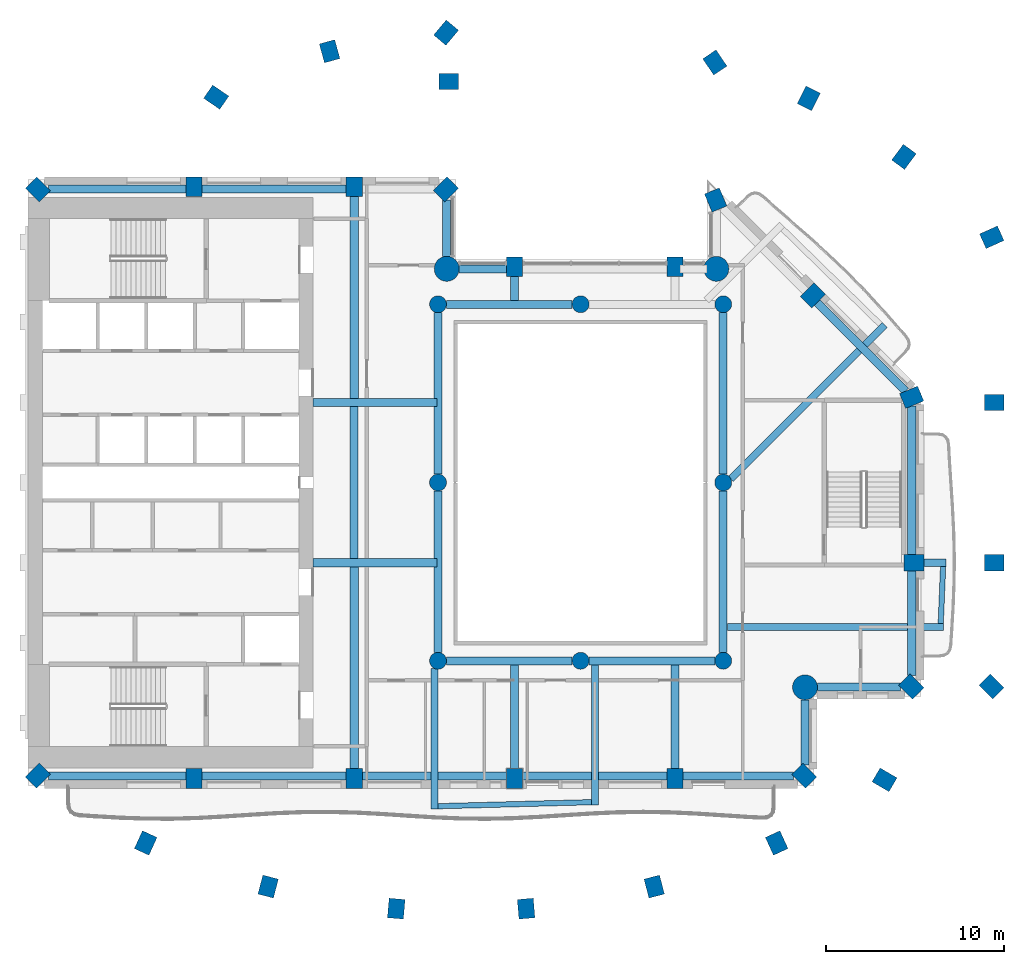
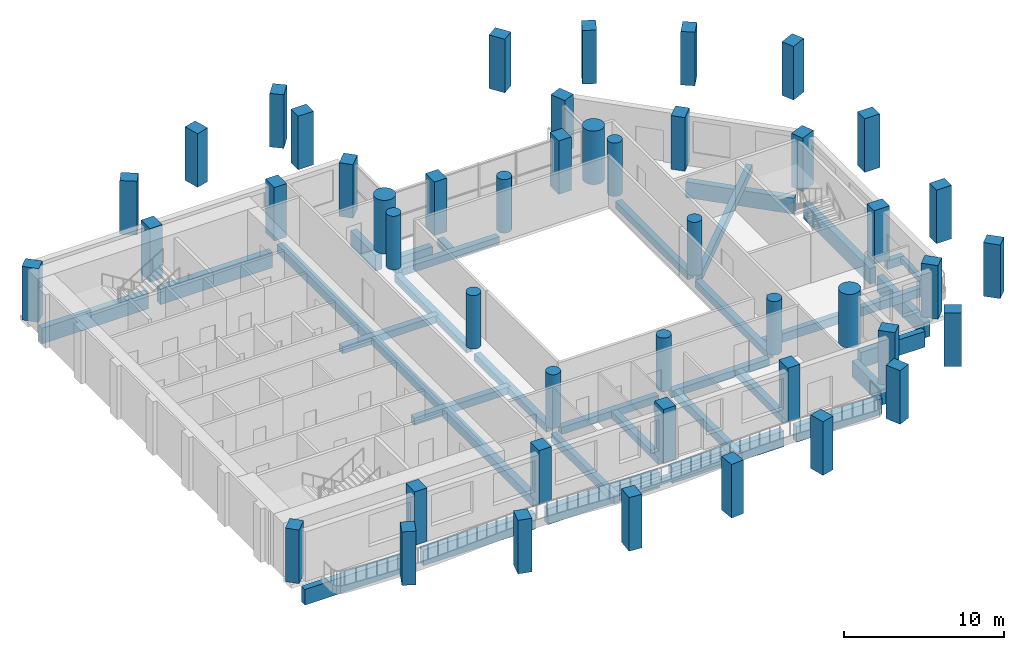
# One storey, part 1 of 13: 46 columns, 36 beams.
"""IFC4 building model written with IfcOpenShell, lengths in metres."""

from ifc_helpers import new_model, si_unit, direction, frame, origin, origin_2d, place, context, subcontext, project, spatial, rectangle, circle, extrude, material, material_profile, profile_set, type_object, element, save


model = new_model("IFC4")

# Units and contexts
model_context = context("Model", 3, precision=1e-05, world=origin(), true_north=direction((0.0, 1.0)))
body_context = subcontext(model_context, "Body", "Model", "MODEL_VIEW")
ifc_project = project(units=[si_unit("LENGTHUNIT", "METRE"), si_unit("AREAUNIT", "SQUARE_METRE"), si_unit("VOLUMEUNIT", "CUBIC_METRE"), si_unit("PLANEANGLEUNIT", "RADIAN"), si_unit("MASSUNIT", "GRAM", prefix="KILO")], contexts=[model_context])

# Site, building, storey
site_placement = place(None, origin())
site = spatial("IfcSite", under=ifc_project, at=site_placement, CompositionType="ELEMENT")
building_placement = place(site_placement, origin())
building = spatial("IfcBuilding", under=site, at=building_placement, Name="Cypress Arch Tower", CompositionType="ELEMENT")
storey_placement = place(building_placement, frame((0.0, 0.0, 189.199951171875)))
storey = spatial("IfcBuildingStorey", under=building, at=storey_placement, Name="L41", CompositionType="ELEMENT", Elevation=189.199951171875)

# Columns
ifc_material_1 = material(Name="Concrete C70/85", Category="concrete")
ifc_material_profile_1 = material_profile(ifc_material_1, rectangle(XDim=0.89990234375, YDim=1.10009765625, at=origin_2d()), Name="RC 900x1100")
ifc_profile_set_1 = profile_set([ifc_material_profile_1], Name="Concrete C70/85")
column_type_1 = type_object("IfcColumnType", Name="Column RC 900x1100 Concrete C70/85", PredefinedType="COLUMN", material=ifc_profile_set_1)
for number, where, z_axis, x_axis, name in (
    (1, (-29.44287109375, 16.44287109375, 0.0), (0.0, 0.0, 1.0), (-0.707106781187, -0.707106781187, 0.0), "Column L41 CB00"),
    (2, (-29.44287109375, -16.44287109375, 0.0), (0.0, 0.0, 1.0), (0.707106781187, -0.707106781187, 0.0), "Column L41 CB01"),
    (3, (-20.699951171875, -16.60009765625, 0.0), (0.0, 0.0, 1.0), (1.0, 0.0, 0.0), "Column L41 CB02"),
    (4, (-11.699951171875, -16.60009765625, 0.0), (0.0, 0.0, 1.0), (1.0, 0.0, 0.0), "Column L41 CB03"),
    (5, (-2.699951171875, -16.60009765625, 0.0), (0.0, 0.0, 1.0), (1.0, 0.0, 0.0), "Column L41 CB04"),
    (6, (6.300048828125, -16.60009765625, 0.0), (0.0, 0.0, 1.0), (1.0, 0.0, 0.0), "Column L41 CB05"),
    (7, (13.54296875, -16.44287109375, 0.0), (0.0, 0.0, 1.0), (0.707106781187, 0.707106781187, 0.0), "Column L41 CB06"),
    (8, (19.54296875, -11.44287109375, 0.0), (0.0, 0.0, 1.0), (0.707106781187, 0.707106781187, 0.0), "Column L41 CB08"),
    (9, (19.699951171875, -4.5, 0.0), (0.0, 0.0, 1.0), (0.0, 1.0, 0.0), "Column L41 CB09"),
    (10, (19.569580078125, 4.7802734375, 0.0), (0.0, 0.0, 1.0), (-0.382683496864, 0.923879505795, 0.0), "Column L41 CB10"),
    (11, (14.029296875, 10.505126953125, 0.0), (0.0, 0.0, 1.0), (-0.707106781187, 0.707106781187, 0.0), "Column L41 CB11"),
    (12, (8.576171875, 15.850341796875, 0.0), (0.0, 0.0, 1.0), (-0.923879672772, -0.382683093746, 0.0), "Column L41 CB12"),
    (13, (6.300048828125, 12.10009765625, 0.0), (0.0, 0.0, 1.0), (-1.0, 0.0, 0.0), "Column L41 CB14"),
    (14, (-2.699951171875, 12.10009765625, 0.0), (0.0, 0.0, 1.0), (-1.0, 0.0, 0.0), "Column L41 CB15"),
    (15, (-6.55712890625, 16.44287109375, 0.0), (0.0, 0.0, 1.0), (-0.707106781187, 0.707106781187, 0.0), "Column L41 CB17"),
    (16, (-11.699951171875, 16.60009765625, 0.0), (0.0, 0.0, 1.0), (-1.0, 0.0, 0.0), "Column L41 CB18"),
    (17, (-20.699951171875, 16.60009765625, 0.0), (0.0, 0.0, 1.0), (-1.0, 0.0, 0.0), "Column L41 CB19"),
    (18, (8.53076171875, 23.564697265625, 0.0), (0.0, 0.0, 1.0), (-0.828469606019, -0.560034027451, 0.0), "Column L41 CQ00"),
    (19, (-6.39990234375, 22.5, 0.0), (0.0, 0.0, 1.0), (0.0, 1.0, 0.0), "Column L41 CQ01"),
    (20, (-6.54833984375, 25.236572265625, 0.0), (0.0, 0.0, 1.0), (-0.766063514674, 0.642764880407, 0.0), "Column L41 CQ02"),
    (21, (-13.081298828125, 24.193359375, 0.0), (0.0, 0.0, 1.0), (-0.96345574646, -0.267867550506, 0.0), "Column L41 CQ03"),
    (22, (-19.44189453125, 21.616943359375, 0.0), (0.0, 0.0, 1.0), (-0.565892599589, -0.824478966215, 0.0), "Column L41 CQ04"),
    (23, (-23.398193359375, -20.221435546875, 0.0), (0.0, 0.0, 1.0), (0.909932071487, -0.414757308891, 0.0), "Column L41 CQ05"),
    (24, (-16.529052734375, -22.666259765625, 0.0), (0.0, 0.0, 1.0), (0.96735573689, -0.2534223319, 0.0), "Column L41 CQ06"),
    (25, (-9.3427734375, -23.903564453125, 0.0), (0.0, 0.0, 1.0), (0.996368206733, -0.085149260784, 0.0), "Column L41 CQ07"),
    (26, (-2.057373046875, -23.903564453125, 0.0), (0.0, 0.0, 1.0), (0.996368206733, 0.085149260784, 0.0), "Column L41 CQ08"),
    (27, (5.12890625, -22.666259765625, 0.0), (0.0, 0.0, 1.0), (0.96735573689, 0.2534223319, 0.0), "Column L41 CQ09"),
    (28, (11.998291015625, -20.221435546875, 0.0), (0.0, 0.0, 1.0), (0.909932071487, 0.414757308891, 0.0), "Column L41 CQ10"),
    (29, (18.048095703125, -16.677490234375, 0.0), (0.0, 0.0, 1.0), (0.504399289829, 0.86347053014, 0.0), "Column L41 CQ11"),
    (30, (24.04296875, -11.44287109375, 0.0), (0.0, 0.0, 1.0), (0.707106781187, 0.707106781187, 0.0), "Column L41 CQ12"),
    (31, (24.199951171875, -4.5, 0.0), (0.0, 0.0, 1.0), (0.0, 1.0, 0.0), "Column L41 CQ13"),
    (32, (24.199951171875, 4.5, 0.0), (0.0, 0.0, 1.0), (0.0, 1.0, 0.0), "Column L41 CQ14"),
    (33, (24.06396484375, 13.75927734375, 0.0), (0.0, 0.0, 1.0), (-0.409765058504, 0.912191096662, 0.0), "Column L41 CQ15"),
    (34, (19.13818359375, 18.267578125, 0.0), (0.0, 0.0, 1.0), (-0.802798546114, 0.596250362144, 0.0), "Column L41 CQ16"),
    (35, (13.80322265625, 21.549072265625, 0.0), (0.0, 0.0, 1.0), (-0.893106499805, 0.44984528452, 0.0), "Column L41 CQ17"),
):
    element("IfcColumn", number, at=place(storey_placement, frame(where, z_axis=z_axis, x_axis=x_axis)), inside=storey, type_object=column_type_1, Name=name, PredefinedType="COLUMN", context=body_context, shape_type="SweptSolid", body=[
        extrude(rectangle(XDim=0.89990234375, YDim=1.10009765625, at=origin_2d()), origin(), (0.0, 0.0, 1.0), 4.10009765625),
    ])
ifc_material_2 = material(Name="Concrete C70/85", Category="concrete")
ifc_material_profile_2 = material_profile(ifc_material_2, circle(Radius=0.47509765625, at=origin_2d()), Name="RC D950")
ifc_profile_set_2 = profile_set([ifc_material_profile_2], Name="Concrete C70/85")
column_type_2 = type_object("IfcColumnType", Name="Column RC D950 Concrete C70/85", PredefinedType="COLUMN", material=ifc_profile_set_2)
for number, where, z_axis, x_axis, name in (
    (36, (-7.0, -10.0, 0.0), (0.0, 0.0, 1.0), (1.0, 0.0, 0.0), "Column L41 RNG-L41-G-7-10"),
    (37, (-7.0, 0.0, 0.0), (0.0, 0.0, 1.0), (1.0, 0.0, 0.0), "Column L41 RNG-L41-G-7+0"),
    (38, (-7.0, 10.0, 0.0), (0.0, 0.0, 1.0), (1.0, 0.0, 0.0), "Column L41 RNG-L41-G-7+10"),
    (39, (1.0, -10.0, 0.0), (0.0, 0.0, 1.0), (1.0, 0.0, 0.0), "Column L41 RNG-L41-G+1-10"),
    (40, (1.0, 10.0, 0.0), (0.0, 0.0, 1.0), (1.0, 0.0, 0.0), "Column L41 RNG-L41-G+1+10"),
    (41, (9.0, -10.0, 0.0), (0.0, 0.0, 1.0), (1.0, 0.0, 0.0), "Column L41 RNG-L41-G+9-10"),
    (42, (9.0, 0.0, 0.0), (0.0, 0.0, 1.0), (1.0, 0.0, 0.0), "Column L41 RNG-L41-G+9+0"),
    (43, (9.0, 10.0, 0.0), (0.0, 0.0, 1.0), (1.0, 0.0, 0.0), "Column L41 RNG-L41-G+9+10"),
):
    element("IfcColumn", number, at=place(storey_placement, frame(where, z_axis=z_axis, x_axis=x_axis)), inside=storey, type_object=column_type_2, Name=name, PredefinedType="COLUMN", context=body_context, shape_type="SweptSolid", body=[
        extrude(circle(Radius=0.47509765625, at=origin_2d()), origin(), (0.0, 0.0, 1.0), 4.10009765625),
    ])
ifc_material_3 = material(Name="Concrete C70/85", Category="concrete")
ifc_material_profile_3 = material_profile(ifc_material_3, circle(Radius=0.699951171875, at=origin_2d()), Name="RC D1400")
ifc_profile_set_3 = profile_set([ifc_material_profile_3], Name="Concrete C70/85")
column_type_3 = type_object("IfcColumnType", Name="Mega-column RC D1400 Concrete C70/85", PredefinedType="COLUMN", material=ifc_profile_set_3)
for number, where, z_axis, x_axis, name in (
    (44, (13.587890625, -11.48779296875, 0.0), (0.0, 0.0, 1.0), (1.0, 0.0, 0.0), "Column L41 CB07"),
    (45, (8.612060546875, 11.98779296875, 0.0), (0.0, 0.0, 1.0), (1.0, 0.0, 0.0), "Column L41 CB13"),
    (46, (-6.51220703125, 11.98779296875, 0.0), (0.0, 0.0, 1.0), (1.0, 0.0, 0.0), "Column L41 CB16"),
):
    element("IfcColumn", number, at=place(storey_placement, frame(where, z_axis=z_axis, x_axis=x_axis)), inside=storey, type_object=column_type_3, Name=name, PredefinedType="COLUMN", context=body_context, shape_type="SweptSolid", body=[
        extrude(circle(Radius=0.699951171875, at=origin_2d()), origin(), (0.0, 0.0, 1.0), 4.10009765625),
    ])

# Beams
ifc_material_4 = material(Name="Concrete C50/60", Category="concrete")
ifc_material_profile_4 = material_profile(ifc_material_4, rectangle(XDim=0.300048828125, YDim=0.39990234375, at=origin_2d()), Name="RC 300x400")
ifc_profile_set_4 = profile_set([ifc_material_profile_4], Name="Concrete C50/60")
beam_type_1 = type_object("IfcBeamType", Name="Balcony edge beam RC 300x400 Concrete C50/60", PredefinedType="BEAM", material=ifc_profile_set_4)
beam_1_placement = place(storey_placement, frame((21.2021484375, -7.89990234375, -0.5), z_axis=(0.041012233973, 0.999158644393, 0.0), x_axis=(-0.999158644393, 0.041012233973, 0.0)))
element("IfcBeam", 47, at=beam_1_placement, inside=storey, type_object=beam_type_1, Name="Balcony edge beam L41 B04", PredefinedType="BEAM", context=body_context, shape_type="SweptSolid", body=[
    extrude(rectangle(XDim=0.300048828125, YDim=0.39990234375, at=origin_2d()), origin(), (0.0, 0.0, 1.0), 3.20263671875),
])
ifc_material_5 = material(Name="Concrete C50/60", Category="concrete")
ifc_material_profile_5 = material_profile(ifc_material_5, rectangle(XDim=0.300048828125, YDim=0.449951171875, at=origin_2d()), Name="RC 300x450")
ifc_profile_set_5 = profile_set([ifc_material_profile_5], Name="Concrete C50/60")
beam_type_2 = type_object("IfcBeamType", Name="Balcony edge beam RC 300x450 Concrete C50/60", PredefinedType="BEAM", material=ifc_profile_set_5)
beam_2_placement = place(storey_placement, frame((-7.0, -18.1572265625, -0.52490234375), z_axis=(0.999656898048, 0.026193246945, 0.0), x_axis=(-0.026193246945, 0.999656898048, 0.0)))
element("IfcBeam", 48, at=beam_2_placement, inside=storey, type_object=beam_type_2, Name="Balcony edge beam L41 B01", PredefinedType="BEAM", context=body_context, shape_type="SweptSolid", body=[
    extrude(rectangle(XDim=0.300048828125, YDim=0.449951171875, at=origin_2d()), origin(), (0.0, 0.0, 1.0), 8.60302734375),
])
ifc_material_6 = material(Name="Concrete C50/60", Category="concrete")
ifc_material_profile_6 = material_profile(ifc_material_6, rectangle(XDim=0.39990234375, YDim=0.64990234375, at=origin_2d()), Name="RC 400x650")
ifc_profile_set_6 = profile_set([ifc_material_profile_6], Name="Concrete C50/60")
beam_type_3 = type_object("IfcBeamType", Name="Cantilever beam RC 400x650 Concrete C50/60", PredefinedType="BEAM", material=ifc_profile_set_6)
beam_3_placement = place(storey_placement, frame((-7.199951171875, -10.4306640625, -0.625), z_axis=(0.0, -1.0, 0.0), x_axis=(1.0, 0.0, 0.0)))
element("IfcBeam", 49, at=beam_3_placement, inside=storey, type_object=beam_type_3, Name="Cantilever beam L41 B01 1", PredefinedType="BEAM", context=body_context, shape_type="SweptSolid", body=[
    extrude(rectangle(XDim=0.39990234375, YDim=0.64990234375, at=origin_2d()), origin(), (0.0, 0.0, 1.0), 7.87646484375),
])
beam_4_placement = place(storey_placement, frame((1.800048828125, -10.22509765625, -0.625), z_axis=(0.0, -1.0, 0.0), x_axis=(1.0, 0.0, 0.0)))
element("IfcBeam", 50, at=beam_4_placement, inside=storey, type_object=beam_type_3, Name="Cantilever beam L41 B01 2", PredefinedType="BEAM", context=body_context, shape_type="SweptSolid", body=[
    extrude(rectangle(XDim=0.39990234375, YDim=0.64990234375, at=origin_2d()), origin(), (0.0, 0.0, 1.0), 7.85693359375),
])
beam_5_placement = place(storey_placement, frame((9.22509765625, -8.10009765625, -0.625), z_axis=(1.0, 0.0, 0.0), x_axis=(0.0, 1.0, 0.0)))
element("IfcBeam", 51, at=beam_5_placement, inside=storey, type_object=beam_type_3, Name="Cantilever beam L41 B04 1", PredefinedType="BEAM", context=body_context, shape_type="SweptSolid", body=[
    extrude(rectangle(XDim=0.39990234375, YDim=0.64990234375, at=origin_2d()), origin(), (0.0, 0.0, 1.0), 12.126953125),
])
beam_6_placement = place(storey_placement, frame((20.25, -4.5, -0.625), z_axis=(1.0, 0.0, 0.0), x_axis=(0.0, 1.0, 0.0)))
element("IfcBeam", 52, at=beam_6_placement, inside=storey, type_object=beam_type_3, Name="Cantilever beam L41 B04 2", PredefinedType="BEAM", context=body_context, shape_type="SweptSolid", body=[
    extrude(rectangle(XDim=0.39990234375, YDim=0.64990234375, at=origin_2d()), origin(), (0.0, 0.0, 1.0), 1.2333984375),
])
beam_7_placement = place(storey_placement, frame((9.4287109375, 0.204345703125, -0.625), z_axis=(0.707106781187, 0.707106781187, 0.0), x_axis=(-0.707106781187, 0.707106781187, 0.0)))
element("IfcBeam", 53, at=beam_7_placement, inside=storey, type_object=beam_type_3, Name="Cantilever beam L41 B05 1", PredefinedType="BEAM", context=body_context, shape_type="SweptSolid", body=[
    extrude(rectangle(XDim=0.39990234375, YDim=0.64990234375, at=origin_2d()), origin(), (0.0, 0.0, 1.0), 12.2041015625),
])
ifc_material_7 = material(Name="Concrete C50/60", Category="concrete")
ifc_material_profile_7 = material_profile(ifc_material_7, rectangle(XDim=0.449951171875, YDim=0.550048828125, at=origin_2d()), Name="RC 450x550")
ifc_profile_set_7 = profile_set([ifc_material_profile_7], Name="Concrete C50/60")
beam_type_4 = type_object("IfcBeamType", Name="Floor beam RC 450x550 Concrete C50/60", PredefinedType="BEAM", material=ifc_profile_set_7)
for number, where, z_axis, x_axis, name in (
    (54, (-7.0, -9.52490234375, -0.574951171875), (0.0, 1.0, 0.0), (-1.0, 0.0, 0.0), "Floor beam L41 RB001"),
    (55, (-7.0, 0.47509765625, -0.574951171875), (0.0, 1.0, 0.0), (-1.0, 0.0, 0.0), "Floor beam L41 RB002"),
    (56, (9.0, -9.52490234375, -0.574951171875), (0.0, 1.0, 0.0), (-1.0, 0.0, 0.0), "Floor beam L41 RB003"),
    (57, (9.0, 0.47509765625, -0.574951171875), (0.0, 1.0, 0.0), (-1.0, 0.0, 0.0), "Floor beam L41 RB004"),
):
    element("IfcBeam", number, at=place(storey_placement, frame(where, z_axis=z_axis, x_axis=x_axis)), inside=storey, type_object=beam_type_4, Name=name, PredefinedType="BEAM", context=body_context, shape_type="SweptSolid", body=[
        extrude(rectangle(XDim=0.449951171875, YDim=0.550048828125, at=origin_2d()), origin(), (0.0, 0.0, 1.0), 9.0498046875),
    ])
for number, where, z_axis, x_axis, name in (
    (58, (-6.52490234375, -10.0, -0.574951171875), (1.0, 0.0, 0.0), (0.0, 1.0, 0.0), "Floor beam L41 RB005"),
    (59, (1.47509765625, -10.0, -0.574951171875), (1.0, 0.0, 0.0), (0.0, 1.0, 0.0), "Floor beam L41 RB006"),
    (60, (-6.52490234375, 10.0, -0.574951171875), (1.0, 0.0, 0.0), (0.0, 1.0, 0.0), "Floor beam L41 RB007"),
):
    element("IfcBeam", number, at=place(storey_placement, frame(where, z_axis=z_axis, x_axis=x_axis)), inside=storey, type_object=beam_type_4, Name=name, PredefinedType="BEAM", context=body_context, shape_type="SweptSolid", body=[
        extrude(rectangle(XDim=0.449951171875, YDim=0.550048828125, at=origin_2d()), origin(), (0.0, 0.0, 1.0), 7.0498046875),
    ])
for number, where, z_axis, x_axis, name in (
    (61, (-14.0, -4.5, -0.574951171875), (1.0, 0.0, 0.0), (0.0, 1.0, 0.0), "Floor beam L41 FB009"),
    (62, (-14.0, 4.5, -0.574951171875), (1.0, 0.0, 0.0), (0.0, 1.0, 0.0), "Floor beam L41 FB010"),
):
    element("IfcBeam", number, at=place(storey_placement, frame(where, z_axis=z_axis, x_axis=x_axis)), inside=storey, type_object=beam_type_4, Name=name, PredefinedType="BEAM", context=body_context, shape_type="SweptSolid", body=[
        extrude(rectangle(XDim=0.449951171875, YDim=0.550048828125, at=origin_2d()), origin(), (0.0, 0.0, 1.0), 6.949951171875),
    ])
beam_8_placement = place(storey_placement, frame((-11.699951171875, -4.27490234375, -0.574951171875), z_axis=(0.0, 1.0, 0.0), x_axis=(-1.0, 0.0, 0.0)))
element("IfcBeam", 63, at=beam_8_placement, inside=storey, type_object=beam_type_4, Name="Floor beam L41 FB012", PredefinedType="BEAM", context=body_context, shape_type="SweptSolid", body=[
    extrude(rectangle(XDim=0.449951171875, YDim=0.550048828125, at=origin_2d()), origin(), (0.0, 0.0, 1.0), 8.5498046875),
])
beam_9_placement = place(storey_placement, frame((-2.699951171875, -16.050048828125, -0.574951171875), z_axis=(0.0, 1.0, 0.0), x_axis=(-1.0, 0.0, 0.0)))
element("IfcBeam", 64, at=beam_9_placement, inside=storey, type_object=beam_type_4, Name="Floor beam L41 FB014", PredefinedType="BEAM", context=body_context, shape_type="SweptSolid", body=[
    extrude(rectangle(XDim=0.449951171875, YDim=0.550048828125, at=origin_2d()), origin(), (0.0, 0.0, 1.0), 5.824951171875),
])
beam_10_placement = place(storey_placement, frame((-2.699951171875, 10.22509765625, -0.574951171875), z_axis=(0.0, 1.0, 0.0), x_axis=(-1.0, 0.0, 0.0)))
element("IfcBeam", 65, at=beam_10_placement, inside=storey, type_object=beam_type_4, Name="Floor beam L41 FB015", PredefinedType="BEAM", context=body_context, shape_type="SweptSolid", body=[
    extrude(rectangle(XDim=0.449951171875, YDim=0.550048828125, at=origin_2d()), origin(), (0.0, 0.0, 1.0), 1.324951171875),
])
beam_11_placement = place(storey_placement, frame((6.300048828125, -16.050048828125, -0.574951171875), z_axis=(0.0, 1.0, 0.0), x_axis=(-1.0, 0.0, 0.0)))
element("IfcBeam", 66, at=beam_11_placement, inside=storey, type_object=beam_type_4, Name="Floor beam L41 FB016", PredefinedType="BEAM", context=body_context, shape_type="SweptSolid", body=[
    extrude(rectangle(XDim=0.449951171875, YDim=0.550048828125, at=origin_2d()), origin(), (0.0, 0.0, 1.0), 5.824951171875),
])
ifc_material_8 = material(Name="Concrete C50/60", Category="concrete")
ifc_material_profile_8 = material_profile(ifc_material_8, rectangle(XDim=0.5, YDim=0.64990234375, at=origin_2d()), Name="RC 500x650")
ifc_profile_set_8 = profile_set([ifc_material_profile_8], Name="Concrete C50/60")
beam_type_5 = type_object("IfcBeamType", Name="Floor beam RC 500x650 Concrete C50/60", PredefinedType="BEAM", material=ifc_profile_set_8)
for number, where, z_axis, x_axis, name in (
    (67, (-11.699951171875, -16.050048828125, -0.625), (0.0, 1.0, 0.0), (-1.0, 0.0, 0.0), "Floor beam L41 FB011"),
    (68, (-11.699951171875, 4.72509765625, -0.625), (0.0, 1.0, 0.0), (-1.0, 0.0, 0.0), "Floor beam L41 FB013"),
):
    element("IfcBeam", number, at=place(storey_placement, frame(where, z_axis=z_axis, x_axis=x_axis)), inside=storey, type_object=beam_type_5, Name=name, PredefinedType="BEAM", context=body_context, shape_type="SweptSolid", body=[
        extrude(rectangle(XDim=0.5, YDim=0.64990234375, at=origin_2d()), origin(), (0.0, 0.0, 1.0), 11.324951171875),
    ])
ifc_material_9 = material(Name="Concrete C50/60", Category="concrete")
ifc_material_profile_9 = material_profile(ifc_material_9, rectangle(XDim=0.449951171875, YDim=1.199951171875, at=origin_2d()), Name="RC 450x1200")
ifc_profile_set_9 = profile_set([ifc_material_profile_9], Name="Concrete C50/60")
beam_type_6 = type_object("IfcBeamType", Name="Spandrel beam RC 450x1200 Concrete C50/60", PredefinedType="SPANDREL", material=ifc_profile_set_9)
beam_12_placement = place(storey_placement, frame((-28.838623046875, -16.47509765625, -1.550048828125), z_axis=(1.0, 0.0, 0.0), x_axis=(0.0, 1.0, 0.0)))
element("IfcBeam", 69, at=beam_12_placement, inside=storey, type_object=beam_type_6, Name="Spandrel beam L41 BB01-0", PredefinedType="SPANDREL", context=body_context, shape_type="SweptSolid", body=[
    extrude(rectangle(XDim=0.449951171875, YDim=1.199951171875, at=origin_2d()), origin(), (0.0, 0.0, 1.0), 7.688720703125),
])
for number, where, z_axis, x_axis, name in (
    (70, (-20.25, -16.47509765625, -1.550048828125), (1.0, 0.0, 0.0), (0.0, 1.0, 0.0), "Spandrel beam L41 BB01-1"),
    (71, (-11.25, -16.47509765625, -1.550048828125), (1.0, 0.0, 0.0), (0.0, 1.0, 0.0), "Spandrel beam L41 BB01-2"),
    (72, (-2.25, -16.47509765625, -1.550048828125), (1.0, 0.0, 0.0), (0.0, 1.0, 0.0), "Spandrel beam L41 BB01-3"),
):
    element("IfcBeam", number, at=place(storey_placement, frame(where, z_axis=z_axis, x_axis=x_axis)), inside=storey, type_object=beam_type_6, Name=name, PredefinedType="SPANDREL", context=body_context, shape_type="SweptSolid", body=[
        extrude(rectangle(XDim=0.449951171875, YDim=1.199951171875, at=origin_2d()), origin(), (0.0, 0.0, 1.0), 8.10009765625),
    ])
beam_13_placement = place(storey_placement, frame((6.75, -16.47509765625, -1.550048828125), z_axis=(1.0, 0.0, 0.0), x_axis=(0.0, 1.0, 0.0)))
element("IfcBeam", 73, at=beam_13_placement, inside=storey, type_object=beam_type_6, Name="Spandrel beam L41 BB01-4", PredefinedType="SPANDREL", context=body_context, shape_type="SweptSolid", body=[
    extrude(rectangle(XDim=0.449951171875, YDim=1.199951171875, at=origin_2d()), origin(), (0.0, 0.0, 1.0), 6.188720703125),
])
beam_14_placement = place(storey_placement, frame((13.574951171875, -15.838623046875, -1.550048828125), z_axis=(0.0, 1.0, 0.0), x_axis=(-1.0, 0.0, 0.0)))
element("IfcBeam", 74, at=beam_14_placement, inside=storey, type_object=beam_type_6, Name="Spandrel beam L41 BB02-0", PredefinedType="SPANDREL", context=body_context, shape_type="SweptSolid", body=[
    extrude(rectangle(XDim=0.449951171875, YDim=1.199951171875, at=origin_2d()), origin(), (0.0, 0.0, 1.0), 3.651123046875),
])
beam_15_placement = place(storey_placement, frame((14.28759765625, -11.47509765625, -1.550048828125), z_axis=(1.0, 0.0, 0.0), x_axis=(0.0, 1.0, 0.0)))
element("IfcBeam", 75, at=beam_15_placement, inside=storey, type_object=beam_type_6, Name="Spandrel beam L41 BB03-0", PredefinedType="SPANDREL", context=body_context, shape_type="SweptSolid", body=[
    extrude(rectangle(XDim=0.449951171875, YDim=1.199951171875, at=origin_2d()), origin(), (0.0, 0.0, 1.0), 4.651123046875),
])
beam_16_placement = place(storey_placement, frame((19.574951171875, -10.838623046875, -1.550048828125), z_axis=(0.0, 1.0, 0.0), x_axis=(-1.0, 0.0, 0.0)))
element("IfcBeam", 76, at=beam_16_placement, inside=storey, type_object=beam_type_6, Name="Spandrel beam L41 BB04-0", PredefinedType="SPANDREL", context=body_context, shape_type="SweptSolid", body=[
    extrude(rectangle(XDim=0.449951171875, YDim=1.199951171875, at=origin_2d()), origin(), (0.0, 0.0, 1.0), 5.888671875),
])
beam_17_placement = place(storey_placement, frame((19.574951171875, -4.050048828125, -1.550048828125), z_axis=(0.0, 1.0, 0.0), x_axis=(-1.0, 0.0, 0.0)))
element("IfcBeam", 77, at=beam_17_placement, inside=storey, type_object=beam_type_6, Name="Spandrel beam L41 BB04-1", PredefinedType="SPANDREL", context=body_context, shape_type="SweptSolid", body=[
    extrude(rectangle(XDim=0.449951171875, YDim=1.199951171875, at=origin_2d()), origin(), (0.0, 0.0, 1.0), 8.345458984375),
])
beam_18_placement = place(storey_placement, frame((19.23046875, 5.126953125, -1.550048828125), z_axis=(-0.707106781187, 0.707106781187, 0.0), x_axis=(-0.707106781187, -0.707106781187, 0.0)))
element("IfcBeam", 78, at=beam_18_placement, inside=storey, type_object=beam_type_6, Name="Spandrel beam L41 BB05-0", PredefinedType="SPANDREL", context=body_context, shape_type="SweptSolid", body=[
    extrude(rectangle(XDim=0.449951171875, YDim=1.199951171875, at=origin_2d()), origin(), (0.0, 0.0, 1.0), 7.03076171875),
])
beam_19_placement = place(storey_placement, frame((-3.14990234375, 11.97509765625, -1.550048828125), z_axis=(-1.0, 0.0, 0.0), x_axis=(0.0, -1.0, 0.0)))
element("IfcBeam", 79, at=beam_19_placement, inside=storey, type_object=beam_type_6, Name="Spandrel beam L41 BB07-2", PredefinedType="SPANDREL", context=body_context, shape_type="SweptSolid", body=[
    extrude(rectangle(XDim=0.449951171875, YDim=1.199951171875, at=origin_2d()), origin(), (0.0, 0.0, 1.0), 2.66259765625),
])
beam_20_placement = place(storey_placement, frame((-6.52490234375, 12.6875, -1.550048828125), z_axis=(0.0, 1.0, 0.0), x_axis=(-1.0, 0.0, 0.0)))
element("IfcBeam", 80, at=beam_20_placement, inside=storey, type_object=beam_type_6, Name="Spandrel beam L41 BB08-0", PredefinedType="SPANDREL", context=body_context, shape_type="SweptSolid", body=[
    extrude(rectangle(XDim=0.449951171875, YDim=1.199951171875, at=origin_2d()), origin(), (0.0, 0.0, 1.0), 3.151123046875),
])
beam_21_placement = place(storey_placement, frame((-12.14990234375, 16.47509765625, -1.550048828125), z_axis=(-1.0, 0.0, 0.0), x_axis=(0.0, -1.0, 0.0)))
element("IfcBeam", 81, at=beam_21_placement, inside=storey, type_object=beam_type_6, Name="Spandrel beam L41 BB09-1", PredefinedType="SPANDREL", context=body_context, shape_type="SweptSolid", body=[
    extrude(rectangle(XDim=0.449951171875, YDim=1.199951171875, at=origin_2d()), origin(), (0.0, 0.0, 1.0), 8.10009765625),
])
beam_22_placement = place(storey_placement, frame((-21.14990234375, 16.47509765625, -1.550048828125), z_axis=(-1.0, 0.0, 0.0), x_axis=(0.0, -1.0, 0.0)))
element("IfcBeam", 82, at=beam_22_placement, inside=storey, type_object=beam_type_6, Name="Spandrel beam L41 BB09-2", PredefinedType="SPANDREL", context=body_context, shape_type="SweptSolid", body=[
    extrude(rectangle(XDim=0.449951171875, YDim=1.199951171875, at=origin_2d()), origin(), (0.0, 0.0, 1.0), 7.688720703125),
])

save(model, "model.ifc")
